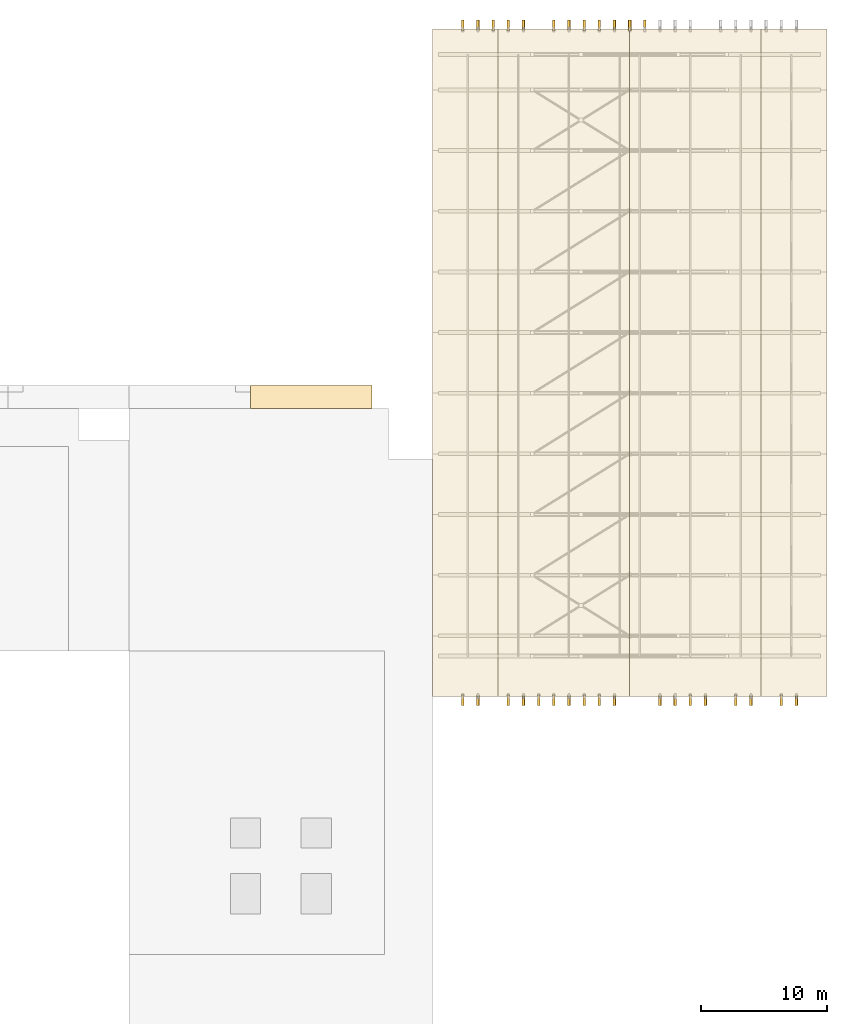
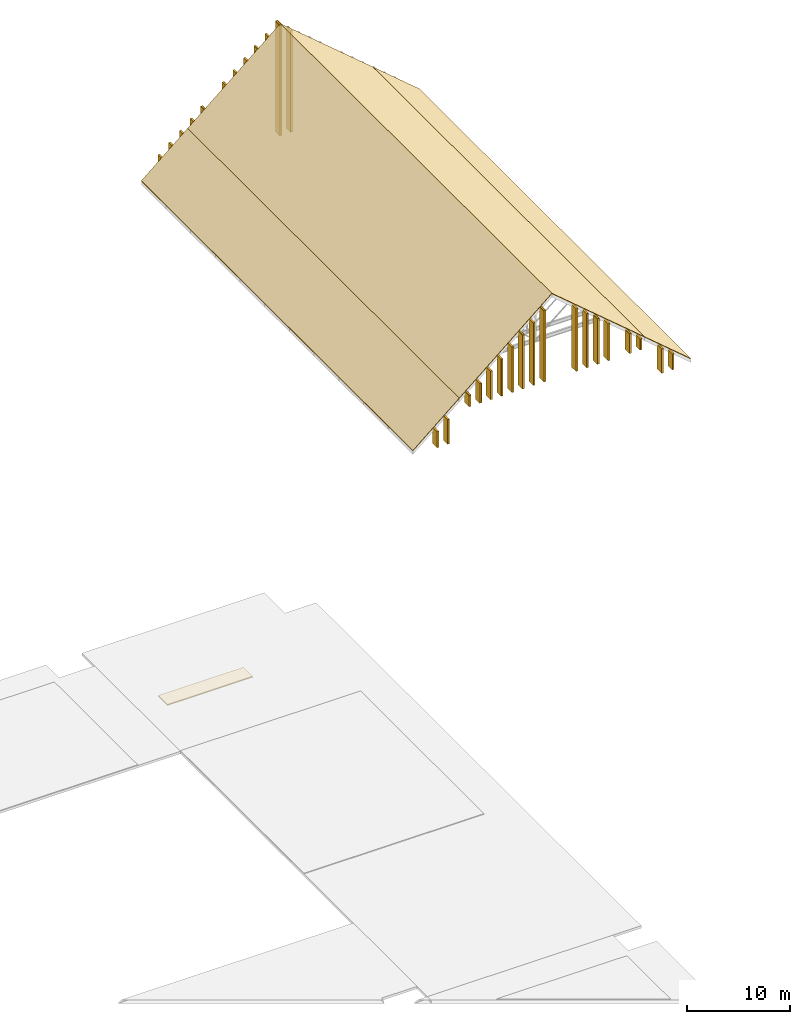
# One storey, part 59 of 60: 35 coverings, 31 shading devices.
"""IFC4 building model written with IfcOpenShell, lengths in metres."""

from ifc_helpers import new_model, si_unit, direction, frame, origin, origin_2d, place, context, subcontext, project, spatial, polyline, rectangle, outline, extrude, material, layer, layer_set, type_object, element, save


model = new_model("IFC4")

# Units and contexts
model_context = context("Model", 3, precision=1e-05, world=origin(), true_north=direction((0.0, 1.0)))
body_context = subcontext(model_context, "Body", "Model", "MODEL_VIEW")
ifc_project = project(units=[si_unit("LENGTHUNIT", "METRE"), si_unit("AREAUNIT", "SQUARE_METRE"), si_unit("VOLUMEUNIT", "CUBIC_METRE"), si_unit("PLANEANGLEUNIT", "RADIAN"), si_unit("MASSUNIT", "GRAM", prefix="KILO")], contexts=[model_context])

# Site, building, storey
site_placement = place(None, origin())
site = spatial("IfcSite", under=ifc_project, at=site_placement, CompositionType="ELEMENT")
building_placement = place(site_placement, origin())
building = spatial("IfcBuilding", under=site, at=building_placement, Name="Nakhvara Creek Congress Hotel", CompositionType="ELEMENT")
storey_placement = place(building_placement, frame((0.0, 0.0, 54.60009765625)))
storey = spatial("IfcBuildingStorey", under=building, at=storey_placement, Name="RL1", CompositionType="ELEMENT", Elevation=54.60009765625)

# Coverings
ifc_material_1 = material(Name="Honed pale Omani limestone architectural cladding", Category="masonry")
ifc_layer_1 = layer(ifc_material_1, 0.219970703125)
ifc_layer_set_1 = layer_set([ifc_layer_1], Name="Honed pale Omani limestone architectural cladding")
covering_type_1 = type_object("IfcCoveringType", Name="COV-FIN-850", PredefinedType="CLADDING", material=ifc_layer_set_1)
covering_1_placement = place(storey_placement, frame((151.199951171875, 72.89501953125, -4.18017578125), z_axis=(0.0, 0.0, 1.0), x_axis=(1.0, 0.0, 0.0)))
element("IfcCovering", 1, at=covering_1_placement, inside=storey, type_object=covering_type_1, Name="Pale Limestone Fin Cladding CF01-0002", PredefinedType="CLADDING", context=body_context, shape_type="SweptSolid", body=[
    extrude(rectangle(XDim=0.219970703125, YDim=0.85009765625, at=origin_2d()), origin(), (0.0, 0.0, 1.0), 1.890869140625),
])
covering_2_placement = place(storey_placement, frame((152.39990234375, 72.89501953125, -4.18017578125), z_axis=(0.0, 0.0, 1.0), x_axis=(1.0, 0.0, 0.0)))
element("IfcCovering", 2, at=covering_2_placement, inside=storey, type_object=covering_type_1, Name="Pale Limestone Fin Cladding CF01-0003", PredefinedType="CLADDING", context=body_context, shape_type="SweptSolid", body=[
    extrude(rectangle(XDim=0.219970703125, YDim=0.85009765625, at=origin_2d()), origin(), (0.0, 0.0, 1.0), 2.90625),
])
covering_3_placement = place(storey_placement, frame((154.800048828125, 72.89501953125, -0.580078125), z_axis=(0.0, 0.0, 1.0), x_axis=(1.0, 0.0, 0.0)))
element("IfcCovering", 3, at=covering_3_placement, inside=storey, type_object=covering_type_1, Name="Pale Limestone Fin Cladding CF01-0004", PredefinedType="CLADDING", context=body_context, shape_type="SweptSolid", body=[
    extrude(rectangle(XDim=0.219970703125, YDim=0.85009765625, at=origin_2d()), origin(), (0.0, 0.0, 1.0), 1.3369140625),
])
covering_4_placement = place(storey_placement, frame((156.0, 72.89501953125, -0.580078125), z_axis=(0.0, 0.0, 1.0), x_axis=(1.0, 0.0, 0.0)))
element("IfcCovering", 4, at=covering_4_placement, inside=storey, type_object=covering_type_1, Name="Pale Limestone Fin Cladding CF01-0005", PredefinedType="CLADDING", context=body_context, shape_type="SweptSolid", body=[
    extrude(rectangle(XDim=0.219970703125, YDim=0.85009765625, at=origin_2d()), origin(), (0.0, 0.0, 1.0), 2.352294921875),
])
covering_5_placement = place(storey_placement, frame((157.199951171875, 72.89501953125, -0.580078125), z_axis=(0.0, 0.0, 1.0), x_axis=(1.0, 0.0, 0.0)))
element("IfcCovering", 5, at=covering_5_placement, inside=storey, type_object=covering_type_1, Name="Pale Limestone Fin Cladding CF01-0006", PredefinedType="CLADDING", context=body_context, shape_type="SweptSolid", body=[
    extrude(rectangle(XDim=0.219970703125, YDim=0.85009765625, at=origin_2d()), origin(), (0.0, 0.0, 1.0), 3.36767578125),
])
covering_6_placement = place(storey_placement, frame((158.39990234375, 72.89501953125, -0.580078125), z_axis=(0.0, 0.0, 1.0), x_axis=(1.0, 0.0, 0.0)))
element("IfcCovering", 6, at=covering_6_placement, inside=storey, type_object=covering_type_1, Name="Pale Limestone Fin Cladding CF01-0007", PredefinedType="CLADDING", context=body_context, shape_type="SweptSolid", body=[
    extrude(rectangle(XDim=0.219970703125, YDim=0.85009765625, at=origin_2d()), origin(), (0.0, 0.0, 1.0), 4.383056640625),
])
covering_7_placement = place(storey_placement, frame((159.60009765625, 72.89501953125, -0.580078125), z_axis=(0.0, 0.0, 1.0), x_axis=(1.0, 0.0, 0.0)))
element("IfcCovering", 7, at=covering_7_placement, inside=storey, type_object=covering_type_1, Name="Pale Limestone Fin Cladding CF01-0008", PredefinedType="CLADDING", context=body_context, shape_type="SweptSolid", body=[
    extrude(rectangle(XDim=0.219970703125, YDim=0.85009765625, at=origin_2d()), origin(), (0.0, 0.0, 1.0), 5.3984375),
])
covering_8_placement = place(storey_placement, frame((160.800048828125, 72.89501953125, -0.580078125), z_axis=(0.0, 0.0, 1.0), x_axis=(1.0, 0.0, 0.0)))
element("IfcCovering", 8, at=covering_8_placement, inside=storey, type_object=covering_type_1, Name="Pale Limestone Fin Cladding CF01-0009", PredefinedType="CLADDING", context=body_context, shape_type="SweptSolid", body=[
    extrude(rectangle(XDim=0.219970703125, YDim=0.85009765625, at=origin_2d()), origin(), (0.0, 0.0, 1.0), 6.413818359375),
])
covering_9_placement = place(storey_placement, frame((162.0, 72.89501953125, -0.580078125), z_axis=(0.0, 0.0, 1.0), x_axis=(1.0, 0.0, 0.0)))
element("IfcCovering", 9, at=covering_9_placement, inside=storey, type_object=covering_type_1, Name="Pale Limestone Fin Cladding CF01-0010", PredefinedType="CLADDING", context=body_context, shape_type="SweptSolid", body=[
    extrude(rectangle(XDim=0.219970703125, YDim=0.85009765625, at=origin_2d()), origin(), (0.0, 0.0, 1.0), 7.42919921875),
])
covering_10_placement = place(storey_placement, frame((163.199951171875, 72.89501953125, -0.580078125), z_axis=(0.0, 0.0, 1.0), x_axis=(1.0, 0.0, 0.0)))
element("IfcCovering", 10, at=covering_10_placement, inside=storey, type_object=covering_type_1, Name="Pale Limestone Fin Cladding CF01-0011", PredefinedType="CLADDING", context=body_context, shape_type="SweptSolid", body=[
    extrude(rectangle(XDim=0.219970703125, YDim=0.85009765625, at=origin_2d()), origin(), (0.0, 0.0, 1.0), 8.444580078125),
])
covering_11_placement = place(storey_placement, frame((166.800048828125, 72.89501953125, -0.580078125), z_axis=(0.0, 0.0, 1.0), x_axis=(1.0, 0.0, 0.0)))
element("IfcCovering", 11, at=covering_11_placement, inside=storey, type_object=covering_type_1, Name="Pale Limestone Fin Cladding CF01-0012", PredefinedType="CLADDING", context=body_context, shape_type="SweptSolid", body=[
    extrude(rectangle(XDim=0.219970703125, YDim=0.85009765625, at=origin_2d()), origin(), (0.0, 0.0, 1.0), 7.42919921875),
])
covering_12_placement = place(storey_placement, frame((168.0, 72.89501953125, -0.580078125), z_axis=(0.0, 0.0, 1.0), x_axis=(1.0, 0.0, 0.0)))
element("IfcCovering", 12, at=covering_12_placement, inside=storey, type_object=covering_type_1, Name="Pale Limestone Fin Cladding CF01-0013", PredefinedType="CLADDING", context=body_context, shape_type="SweptSolid", body=[
    extrude(rectangle(XDim=0.219970703125, YDim=0.85009765625, at=origin_2d()), origin(), (0.0, 0.0, 1.0), 6.413818359375),
])
covering_13_placement = place(storey_placement, frame((169.199951171875, 72.89501953125, -0.580078125), z_axis=(0.0, 0.0, 1.0), x_axis=(1.0, 0.0, 0.0)))
element("IfcCovering", 13, at=covering_13_placement, inside=storey, type_object=covering_type_1, Name="Pale Limestone Fin Cladding CF01-0014", PredefinedType="CLADDING", context=body_context, shape_type="SweptSolid", body=[
    extrude(rectangle(XDim=0.219970703125, YDim=0.85009765625, at=origin_2d()), origin(), (0.0, 0.0, 1.0), 5.3984375),
])
covering_14_placement = place(storey_placement, frame((170.39990234375, 72.89501953125, -0.580078125), z_axis=(0.0, 0.0, 1.0), x_axis=(1.0, 0.0, 0.0)))
element("IfcCovering", 14, at=covering_14_placement, inside=storey, type_object=covering_type_1, Name="Pale Limestone Fin Cladding CF01-0015", PredefinedType="CLADDING", context=body_context, shape_type="SweptSolid", body=[
    extrude(rectangle(XDim=0.219970703125, YDim=0.85009765625, at=origin_2d()), origin(), (0.0, 0.0, 1.0), 4.383056640625),
])
covering_15_placement = place(storey_placement, frame((172.800048828125, 72.89501953125, -0.580078125), z_axis=(0.0, 0.0, 1.0), x_axis=(1.0, 0.0, 0.0)))
element("IfcCovering", 15, at=covering_15_placement, inside=storey, type_object=covering_type_1, Name="Pale Limestone Fin Cladding CF01-0016", PredefinedType="CLADDING", context=body_context, shape_type="SweptSolid", body=[
    extrude(rectangle(XDim=0.219970703125, YDim=0.85009765625, at=origin_2d()), origin(), (0.0, 0.0, 1.0), 2.352294921875),
])
covering_16_placement = place(storey_placement, frame((174.0, 72.89501953125, -0.580078125), z_axis=(0.0, 0.0, 1.0), x_axis=(1.0, 0.0, 0.0)))
element("IfcCovering", 16, at=covering_16_placement, inside=storey, type_object=covering_type_1, Name="Pale Limestone Fin Cladding CF01-0017", PredefinedType="CLADDING", context=body_context, shape_type="SweptSolid", body=[
    extrude(rectangle(XDim=0.219970703125, YDim=0.85009765625, at=origin_2d()), origin(), (0.0, 0.0, 1.0), 1.3369140625),
])
covering_17_placement = place(storey_placement, frame((176.39990234375, 72.89501953125, -4.18017578125), z_axis=(0.0, 0.0, 1.0), x_axis=(1.0, 0.0, 0.0)))
element("IfcCovering", 17, at=covering_17_placement, inside=storey, type_object=covering_type_1, Name="Pale Limestone Fin Cladding CF01-0018", PredefinedType="CLADDING", context=body_context, shape_type="SweptSolid", body=[
    extrude(rectangle(XDim=0.219970703125, YDim=0.85009765625, at=origin_2d()), origin(), (0.0, 0.0, 1.0), 2.90625),
])
for number, where, z_axis, x_axis, name in (
    (18, (177.60009765625, 72.89501953125, -4.18017578125), (0.0, 0.0, 1.0), (1.0, 0.0, 0.0), "Pale Limestone Fin Cladding CF01-0019"),
    (19, (151.199951171875, 126.304931640625, -4.18017578125), (0.0, 0.0, 1.0), (1.0, 0.0, 0.0), "Pale Limestone Fin Cladding CF01-0020"),
):
    element("IfcCovering", number, at=place(storey_placement, frame(where, z_axis=z_axis, x_axis=x_axis)), inside=storey, type_object=covering_type_1, Name=name, PredefinedType="CLADDING", context=body_context, shape_type="SweptSolid", body=[
        extrude(rectangle(XDim=0.219970703125, YDim=0.85009765625, at=origin_2d()), origin(), (0.0, 0.0, 1.0), 1.890869140625),
    ])
covering_18_placement = place(storey_placement, frame((152.39990234375, 126.304931640625, -4.18017578125), z_axis=(0.0, 0.0, 1.0), x_axis=(1.0, 0.0, 0.0)))
element("IfcCovering", 20, at=covering_18_placement, inside=storey, type_object=covering_type_1, Name="Pale Limestone Fin Cladding CF01-0021", PredefinedType="CLADDING", context=body_context, shape_type="SweptSolid", body=[
    extrude(rectangle(XDim=0.219970703125, YDim=0.85009765625, at=origin_2d()), origin(), (0.0, 0.0, 1.0), 2.90625),
])
covering_19_placement = place(storey_placement, frame((153.60009765625, 126.304931640625, -4.179931640625), z_axis=(0.0, 0.0, 1.0), x_axis=(1.0, 0.0, 0.0)))
element("IfcCovering", 21, at=covering_19_placement, inside=storey, type_object=covering_type_1, Name="Pale Limestone Fin Cladding CF01-0022", PredefinedType="CLADDING", context=body_context, shape_type="SweptSolid", body=[
    extrude(rectangle(XDim=0.219970703125, YDim=0.85009765625, at=origin_2d()), origin(), (0.0, 0.0, 1.0), 3.92138671875),
])
covering_20_placement = place(storey_placement, frame((154.800048828125, 126.304931640625, -4.18017578125), z_axis=(0.0, 0.0, 1.0), x_axis=(1.0, 0.0, 0.0)))
element("IfcCovering", 22, at=covering_20_placement, inside=storey, type_object=covering_type_1, Name="Pale Limestone Fin Cladding CF01-0023", PredefinedType="CLADDING", context=body_context, shape_type="SweptSolid", body=[
    extrude(rectangle(XDim=0.219970703125, YDim=0.85009765625, at=origin_2d()), origin(), (0.0, 0.0, 1.0), 4.93701171875),
])
covering_21_placement = place(storey_placement, frame((156.0, 126.304931640625, -4.18017578125), z_axis=(0.0, 0.0, 1.0), x_axis=(1.0, 0.0, 0.0)))
element("IfcCovering", 23, at=covering_21_placement, inside=storey, type_object=covering_type_1, Name="Pale Limestone Fin Cladding CF01-0024", PredefinedType="CLADDING", context=body_context, shape_type="SweptSolid", body=[
    extrude(rectangle(XDim=0.219970703125, YDim=0.85009765625, at=origin_2d()), origin(), (0.0, 0.0, 1.0), 5.952392578125),
])
covering_22_placement = place(storey_placement, frame((158.39990234375, 126.304931640625, -4.18017578125), z_axis=(0.0, 0.0, 1.0), x_axis=(1.0, 0.0, 0.0)))
element("IfcCovering", 24, at=covering_22_placement, inside=storey, type_object=covering_type_1, Name="Pale Limestone Fin Cladding CF01-0025", PredefinedType="CLADDING", context=body_context, shape_type="SweptSolid", body=[
    extrude(rectangle(XDim=0.219970703125, YDim=0.85009765625, at=origin_2d()), origin(), (0.0, 0.0, 1.0), 7.983154296875),
])
covering_23_placement = place(storey_placement, frame((159.60009765625, 126.304931640625, -4.18017578125), z_axis=(0.0, 0.0, 1.0), x_axis=(1.0, 0.0, 0.0)))
element("IfcCovering", 25, at=covering_23_placement, inside=storey, type_object=covering_type_1, Name="Pale Limestone Fin Cladding CF01-0026", PredefinedType="CLADDING", context=body_context, shape_type="SweptSolid", body=[
    extrude(rectangle(XDim=0.219970703125, YDim=0.85009765625, at=origin_2d()), origin(), (0.0, 0.0, 1.0), 8.99853515625),
])
covering_24_placement = place(storey_placement, frame((160.800048828125, 126.304931640625, -4.18017578125), z_axis=(0.0, 0.0, 1.0), x_axis=(1.0, 0.0, 0.0)))
element("IfcCovering", 26, at=covering_24_placement, inside=storey, type_object=covering_type_1, Name="Pale Limestone Fin Cladding CF01-0027", PredefinedType="CLADDING", context=body_context, shape_type="SweptSolid", body=[
    extrude(rectangle(XDim=0.219970703125, YDim=0.85009765625, at=origin_2d()), origin(), (0.0, 0.0, 1.0), 10.013916015625),
])
covering_25_placement = place(storey_placement, frame((162.0, 126.304931640625, -4.18017578125), z_axis=(0.0, 0.0, 1.0), x_axis=(1.0, 0.0, 0.0)))
element("IfcCovering", 27, at=covering_25_placement, inside=storey, type_object=covering_type_1, Name="Pale Limestone Fin Cladding CF01-0028", PredefinedType="CLADDING", context=body_context, shape_type="SweptSolid", body=[
    extrude(rectangle(XDim=0.219970703125, YDim=0.85009765625, at=origin_2d()), origin(), (0.0, 0.0, 1.0), 11.029296875),
])
covering_26_placement = place(storey_placement, frame((163.199951171875, 126.304931640625, -4.18017578125), z_axis=(0.0, 0.0, 1.0), x_axis=(1.0, 0.0, 0.0)))
element("IfcCovering", 28, at=covering_26_placement, inside=storey, type_object=covering_type_1, Name="Pale Limestone Fin Cladding CF01-0029", PredefinedType="CLADDING", context=body_context, shape_type="SweptSolid", body=[
    extrude(rectangle(XDim=0.219970703125, YDim=0.85009765625, at=origin_2d()), origin(), (0.0, 0.0, 1.0), 12.044677734375),
])
covering_27_placement = place(storey_placement, frame((164.39990234375, 126.304931640625, -4.18017578125), z_axis=(0.0, 0.0, 1.0), x_axis=(1.0, 0.0, 0.0)))
element("IfcCovering", 29, at=covering_27_placement, inside=storey, type_object=covering_type_1, Name="Pale Limestone Fin Cladding CF01-0030", PredefinedType="CLADDING", context=body_context, shape_type="SweptSolid", body=[
    extrude(rectangle(XDim=0.219970703125, YDim=0.85009765625, at=origin_2d()), origin(), (0.0, 0.0, 1.0), 13.06005859375),
])
covering_28_placement = place(storey_placement, frame((164.39990234375, 126.304931640625, 0.599853515625), z_axis=(0.0, 0.0, 1.0), x_axis=(1.0, 0.0, 0.0)))
element("IfcCovering", 30, at=covering_28_placement, inside=storey, type_object=covering_type_1, Name="Pale Limestone Fin Cladding CF01-0041", PredefinedType="CLADDING", context=body_context, shape_type="SweptSolid", body=[
    extrude(rectangle(XDim=0.280029296875, YDim=0.85009765625, at=origin_2d()), origin(), (0.0, 0.0, 1.0), 8.3798828125),
])
ifc_material_2 = material(Name="High-SRI cool-roof EPDM membrane and tapered insulation")
ifc_layer_2 = layer(ifc_material_2, 0.080078125)
ifc_layer_set_2 = layer_set([ifc_layer_2], Name="High-SRI cool-roof EPDM membrane and tapered insulation")
covering_type_2 = type_object("IfcCoveringType", Name="COV-ROOF-MEM", PredefinedType="ROOFING", material=ifc_layer_set_2)
covering_29_placement = place(storey_placement, frame((148.800048828125, 73.199951171875, -4.14013671875), z_axis=(0.0, 0.0, 1.0), x_axis=(1.0, 0.0, 0.0)))
element("IfcCovering", 31, at=covering_29_placement, inside=storey, type_object=covering_type_2, Name="Hotel Gothic Gable West Eave Standing-Seam Roof Cladding", PredefinedType="ROOFING", context=body_context, shape_type="SweptSolid", body=[
    extrude(outline(polyline([(0.0, 0.0), (5.199951171875, 4.400146484375), (5.199951171875, 4.321533203125), (0.0, -0.07861328125), (0.0, 0.0)])), frame((0.0, 52.800048828125, 0.0), z_axis=(0.0, -1.0, 0.0), x_axis=(1.0, 0.0, 0.0)), (0.0, 0.0, 1.0), 52.800048828125),
])
covering_30_placement = place(storey_placement, frame((174.800048828125, 73.199951171875, 0.260009765625), z_axis=(0.0, 0.0, 1.0), x_axis=(1.0, 0.0, 0.0)))
element("IfcCovering", 32, at=covering_30_placement, inside=storey, type_object=covering_type_2, Name="Hotel Gothic Gable East Eave Standing-Seam Roof Cladding", PredefinedType="ROOFING", context=body_context, shape_type="SweptSolid", body=[
    extrude(outline(polyline([(0.0, 0.0), (5.199951171875, -4.400146484375), (5.199951171875, -4.478759765625), (0.0, -0.07861328125), (0.0, 0.0)])), frame((0.0, 52.800048828125, 0.0), z_axis=(0.0, -1.0, 0.0), x_axis=(1.0, 0.0, 0.0)), (0.0, 0.0, 1.0), 52.800048828125),
])
covering_31_placement = place(storey_placement, frame((154.0, 73.199951171875, 0.260009765625), z_axis=(0.0, 0.0, 1.0), x_axis=(1.0, 0.0, 0.0)))
element("IfcCovering", 33, at=covering_31_placement, inside=storey, type_object=covering_type_2, Name="Hotel Gothic Gable West Crown Standing-Seam Roof Cladding", PredefinedType="ROOFING", context=body_context, shape_type="SweptSolid", body=[
    extrude(outline(polyline([(0.0, 0.0), (10.39990234375, 8.7998046875), (10.39990234375, 8.72119140625), (0.0, -0.07861328125), (0.0, 0.0)])), frame((0.0, 52.800048828125, 0.0), z_axis=(0.0, -1.0, 0.0), x_axis=(1.0, 0.0, 0.0)), (0.0, 0.0, 1.0), 52.800048828125),
])
covering_32_placement = place(storey_placement, frame((164.39990234375, 73.199951171875, 9.059814453125), z_axis=(0.0, 0.0, 1.0), x_axis=(1.0, 0.0, 0.0)))
element("IfcCovering", 34, at=covering_32_placement, inside=storey, type_object=covering_type_2, Name="Hotel Gothic Gable East Crown Standing-Seam Roof Cladding", PredefinedType="ROOFING", context=body_context, shape_type="SweptSolid", body=[
    extrude(outline(polyline([(0.0, 0.0), (10.400146484375, -8.7998046875), (10.400146484375, -8.87841796875), (0.0, -0.07861328125), (0.0, 0.0)])), frame((0.0, 52.800048828125, 0.0), z_axis=(0.0, -1.0, 0.0), x_axis=(1.0, 0.0, 0.0)), (0.0, 0.0, 1.0), 52.800048828125),
])
covering_33_placement = place(storey_placement, frame((0.0, 0.0, -43.2001953125)))
element("IfcCovering", 35, at=covering_33_placement, inside=storey, type_object=covering_type_2, Name="Glazed Box Limestone Coping Cap PBOX-L01-N3", PredefinedType="ROOFING", context=body_context, shape_type="SweptSolid", body=[
    extrude(outline(polyline([(134.39990234375, 96.0), (144.0, 96.0), (144.0, 97.800048828125), (134.39990234375, 97.800048828125), (134.39990234375, 96.0)])), origin(), (0.0, 0.0, 1.0), 0.1201171875),
])

# Shading devices
ifc_material_3 = material(Name="Honed pale Omani limestone cladding on stainless steel spine", Category="masonry")
shading_device_type = type_object("IfcShadingDeviceType", Name="SHD-FIN-GABLE", PredefinedType="USERDEFINED", material=ifc_material_3)
shading_device_1_placement = place(storey_placement, frame((151.199951171875, 72.89501953125, -4.18017578125), z_axis=(0.0, 0.0, 1.0), x_axis=(1.0, 0.0, 0.0)))
element("IfcShadingDevice", 36, at=shading_device_1_placement, inside=storey, type_object=shading_device_type, Name="Limestone Solar Fin FN04-0002", ObjectType="FIN", PredefinedType="USERDEFINED", context=body_context, shape_type="SweptSolid", body=[
    extrude(rectangle(XDim=0.199951171875, YDim=0.85009765625, at=origin_2d()), origin(), (0.0, 0.0, 1.0), 1.890869140625),
])
shading_device_2_placement = place(storey_placement, frame((152.39990234375, 72.89501953125, -4.18017578125), z_axis=(0.0, 0.0, 1.0), x_axis=(1.0, 0.0, 0.0)))
element("IfcShadingDevice", 37, at=shading_device_2_placement, inside=storey, type_object=shading_device_type, Name="Limestone Solar Fin FN04-0003", ObjectType="FIN", PredefinedType="USERDEFINED", context=body_context, shape_type="SweptSolid", body=[
    extrude(rectangle(XDim=0.199951171875, YDim=0.85009765625, at=origin_2d()), origin(), (0.0, 0.0, 1.0), 2.90625),
])
shading_device_3_placement = place(storey_placement, frame((154.800048828125, 72.89501953125, -0.580078125), z_axis=(0.0, 0.0, 1.0), x_axis=(1.0, 0.0, 0.0)))
element("IfcShadingDevice", 38, at=shading_device_3_placement, inside=storey, type_object=shading_device_type, Name="Limestone Solar Fin FN04-0004", ObjectType="FIN", PredefinedType="USERDEFINED", context=body_context, shape_type="SweptSolid", body=[
    extrude(rectangle(XDim=0.199951171875, YDim=0.85009765625, at=origin_2d()), origin(), (0.0, 0.0, 1.0), 1.3369140625),
])
shading_device_4_placement = place(storey_placement, frame((156.0, 72.89501953125, -0.580078125), z_axis=(0.0, 0.0, 1.0), x_axis=(1.0, 0.0, 0.0)))
element("IfcShadingDevice", 39, at=shading_device_4_placement, inside=storey, type_object=shading_device_type, Name="Limestone Solar Fin FN04-0005", ObjectType="FIN", PredefinedType="USERDEFINED", context=body_context, shape_type="SweptSolid", body=[
    extrude(rectangle(XDim=0.199951171875, YDim=0.85009765625, at=origin_2d()), origin(), (0.0, 0.0, 1.0), 2.352294921875),
])
shading_device_5_placement = place(storey_placement, frame((157.199951171875, 72.89501953125, -0.580078125), z_axis=(0.0, 0.0, 1.0), x_axis=(1.0, 0.0, 0.0)))
element("IfcShadingDevice", 40, at=shading_device_5_placement, inside=storey, type_object=shading_device_type, Name="Limestone Solar Fin FN04-0006", ObjectType="FIN", PredefinedType="USERDEFINED", context=body_context, shape_type="SweptSolid", body=[
    extrude(rectangle(XDim=0.199951171875, YDim=0.85009765625, at=origin_2d()), origin(), (0.0, 0.0, 1.0), 3.36767578125),
])
shading_device_6_placement = place(storey_placement, frame((158.39990234375, 72.89501953125, -0.580078125), z_axis=(0.0, 0.0, 1.0), x_axis=(1.0, 0.0, 0.0)))
element("IfcShadingDevice", 41, at=shading_device_6_placement, inside=storey, type_object=shading_device_type, Name="Limestone Solar Fin FN04-0007", ObjectType="FIN", PredefinedType="USERDEFINED", context=body_context, shape_type="SweptSolid", body=[
    extrude(rectangle(XDim=0.199951171875, YDim=0.85009765625, at=origin_2d()), origin(), (0.0, 0.0, 1.0), 4.383056640625),
])
shading_device_7_placement = place(storey_placement, frame((159.60009765625, 72.89501953125, -0.580078125), z_axis=(0.0, 0.0, 1.0), x_axis=(1.0, 0.0, 0.0)))
element("IfcShadingDevice", 42, at=shading_device_7_placement, inside=storey, type_object=shading_device_type, Name="Limestone Solar Fin FN04-0008", ObjectType="FIN", PredefinedType="USERDEFINED", context=body_context, shape_type="SweptSolid", body=[
    extrude(rectangle(XDim=0.199951171875, YDim=0.85009765625, at=origin_2d()), origin(), (0.0, 0.0, 1.0), 5.3984375),
])
shading_device_8_placement = place(storey_placement, frame((160.800048828125, 72.89501953125, -0.580078125), z_axis=(0.0, 0.0, 1.0), x_axis=(1.0, 0.0, 0.0)))
element("IfcShadingDevice", 43, at=shading_device_8_placement, inside=storey, type_object=shading_device_type, Name="Limestone Solar Fin FN04-0009", ObjectType="FIN", PredefinedType="USERDEFINED", context=body_context, shape_type="SweptSolid", body=[
    extrude(rectangle(XDim=0.199951171875, YDim=0.85009765625, at=origin_2d()), origin(), (0.0, 0.0, 1.0), 6.413818359375),
])
shading_device_9_placement = place(storey_placement, frame((162.0, 72.89501953125, -0.580078125), z_axis=(0.0, 0.0, 1.0), x_axis=(1.0, 0.0, 0.0)))
element("IfcShadingDevice", 44, at=shading_device_9_placement, inside=storey, type_object=shading_device_type, Name="Limestone Solar Fin FN04-0010", ObjectType="FIN", PredefinedType="USERDEFINED", context=body_context, shape_type="SweptSolid", body=[
    extrude(rectangle(XDim=0.199951171875, YDim=0.85009765625, at=origin_2d()), origin(), (0.0, 0.0, 1.0), 7.42919921875),
])
shading_device_10_placement = place(storey_placement, frame((163.199951171875, 72.89501953125, -0.580078125), z_axis=(0.0, 0.0, 1.0), x_axis=(1.0, 0.0, 0.0)))
element("IfcShadingDevice", 45, at=shading_device_10_placement, inside=storey, type_object=shading_device_type, Name="Limestone Solar Fin FN04-0011", ObjectType="FIN", PredefinedType="USERDEFINED", context=body_context, shape_type="SweptSolid", body=[
    extrude(rectangle(XDim=0.199951171875, YDim=0.85009765625, at=origin_2d()), origin(), (0.0, 0.0, 1.0), 8.444580078125),
])
shading_device_11_placement = place(storey_placement, frame((166.800048828125, 72.89501953125, -0.580078125), z_axis=(0.0, 0.0, 1.0), x_axis=(1.0, 0.0, 0.0)))
element("IfcShadingDevice", 46, at=shading_device_11_placement, inside=storey, type_object=shading_device_type, Name="Limestone Solar Fin FN04-0012", ObjectType="FIN", PredefinedType="USERDEFINED", context=body_context, shape_type="SweptSolid", body=[
    extrude(rectangle(XDim=0.199951171875, YDim=0.85009765625, at=origin_2d()), origin(), (0.0, 0.0, 1.0), 7.42919921875),
])
shading_device_12_placement = place(storey_placement, frame((168.0, 72.89501953125, -0.580078125), z_axis=(0.0, 0.0, 1.0), x_axis=(1.0, 0.0, 0.0)))
element("IfcShadingDevice", 47, at=shading_device_12_placement, inside=storey, type_object=shading_device_type, Name="Limestone Solar Fin FN04-0013", ObjectType="FIN", PredefinedType="USERDEFINED", context=body_context, shape_type="SweptSolid", body=[
    extrude(rectangle(XDim=0.199951171875, YDim=0.85009765625, at=origin_2d()), origin(), (0.0, 0.0, 1.0), 6.413818359375),
])
shading_device_13_placement = place(storey_placement, frame((169.199951171875, 72.89501953125, -0.580078125), z_axis=(0.0, 0.0, 1.0), x_axis=(1.0, 0.0, 0.0)))
element("IfcShadingDevice", 48, at=shading_device_13_placement, inside=storey, type_object=shading_device_type, Name="Limestone Solar Fin FN04-0014", ObjectType="FIN", PredefinedType="USERDEFINED", context=body_context, shape_type="SweptSolid", body=[
    extrude(rectangle(XDim=0.199951171875, YDim=0.85009765625, at=origin_2d()), origin(), (0.0, 0.0, 1.0), 5.3984375),
])
shading_device_14_placement = place(storey_placement, frame((170.39990234375, 72.89501953125, -0.580078125), z_axis=(0.0, 0.0, 1.0), x_axis=(1.0, 0.0, 0.0)))
element("IfcShadingDevice", 49, at=shading_device_14_placement, inside=storey, type_object=shading_device_type, Name="Limestone Solar Fin FN04-0015", ObjectType="FIN", PredefinedType="USERDEFINED", context=body_context, shape_type="SweptSolid", body=[
    extrude(rectangle(XDim=0.199951171875, YDim=0.85009765625, at=origin_2d()), origin(), (0.0, 0.0, 1.0), 4.383056640625),
])
shading_device_15_placement = place(storey_placement, frame((172.800048828125, 72.89501953125, -0.580078125), z_axis=(0.0, 0.0, 1.0), x_axis=(1.0, 0.0, 0.0)))
element("IfcShadingDevice", 50, at=shading_device_15_placement, inside=storey, type_object=shading_device_type, Name="Limestone Solar Fin FN04-0016", ObjectType="FIN", PredefinedType="USERDEFINED", context=body_context, shape_type="SweptSolid", body=[
    extrude(rectangle(XDim=0.199951171875, YDim=0.85009765625, at=origin_2d()), origin(), (0.0, 0.0, 1.0), 2.352294921875),
])
shading_device_16_placement = place(storey_placement, frame((174.0, 72.89501953125, -0.580078125), z_axis=(0.0, 0.0, 1.0), x_axis=(1.0, 0.0, 0.0)))
element("IfcShadingDevice", 51, at=shading_device_16_placement, inside=storey, type_object=shading_device_type, Name="Limestone Solar Fin FN04-0017", ObjectType="FIN", PredefinedType="USERDEFINED", context=body_context, shape_type="SweptSolid", body=[
    extrude(rectangle(XDim=0.199951171875, YDim=0.85009765625, at=origin_2d()), origin(), (0.0, 0.0, 1.0), 1.3369140625),
])
shading_device_17_placement = place(storey_placement, frame((176.39990234375, 72.89501953125, -4.18017578125), z_axis=(0.0, 0.0, 1.0), x_axis=(1.0, 0.0, 0.0)))
element("IfcShadingDevice", 52, at=shading_device_17_placement, inside=storey, type_object=shading_device_type, Name="Limestone Solar Fin FN04-0018", ObjectType="FIN", PredefinedType="USERDEFINED", context=body_context, shape_type="SweptSolid", body=[
    extrude(rectangle(XDim=0.199951171875, YDim=0.85009765625, at=origin_2d()), origin(), (0.0, 0.0, 1.0), 2.90625),
])
for number, where, z_axis, x_axis, name in (
    (53, (177.60009765625, 72.89501953125, -4.18017578125), (0.0, 0.0, 1.0), (1.0, 0.0, 0.0), "Limestone Solar Fin FN04-0019"),
    (54, (151.199951171875, 126.304931640625, -4.18017578125), (0.0, 0.0, 1.0), (1.0, 0.0, 0.0), "Limestone Solar Fin FN04-0020"),
):
    element("IfcShadingDevice", number, at=place(storey_placement, frame(where, z_axis=z_axis, x_axis=x_axis)), inside=storey, type_object=shading_device_type, Name=name, ObjectType="FIN", PredefinedType="USERDEFINED", context=body_context, shape_type="SweptSolid", body=[
        extrude(rectangle(XDim=0.199951171875, YDim=0.85009765625, at=origin_2d()), origin(), (0.0, 0.0, 1.0), 1.890869140625),
    ])
shading_device_18_placement = place(storey_placement, frame((152.39990234375, 126.304931640625, -4.18017578125), z_axis=(0.0, 0.0, 1.0), x_axis=(1.0, 0.0, 0.0)))
element("IfcShadingDevice", 55, at=shading_device_18_placement, inside=storey, type_object=shading_device_type, Name="Limestone Solar Fin FN04-0021", ObjectType="FIN", PredefinedType="USERDEFINED", context=body_context, shape_type="SweptSolid", body=[
    extrude(rectangle(XDim=0.199951171875, YDim=0.85009765625, at=origin_2d()), origin(), (0.0, 0.0, 1.0), 2.90625),
])
shading_device_19_placement = place(storey_placement, frame((153.60009765625, 126.304931640625, -4.179931640625), z_axis=(0.0, 0.0, 1.0), x_axis=(1.0, 0.0, 0.0)))
element("IfcShadingDevice", 56, at=shading_device_19_placement, inside=storey, type_object=shading_device_type, Name="Limestone Solar Fin FN04-0022", ObjectType="FIN", PredefinedType="USERDEFINED", context=body_context, shape_type="SweptSolid", body=[
    extrude(rectangle(XDim=0.199951171875, YDim=0.85009765625, at=origin_2d()), origin(), (0.0, 0.0, 1.0), 3.92138671875),
])
shading_device_20_placement = place(storey_placement, frame((154.800048828125, 126.304931640625, -4.18017578125), z_axis=(0.0, 0.0, 1.0), x_axis=(1.0, 0.0, 0.0)))
element("IfcShadingDevice", 57, at=shading_device_20_placement, inside=storey, type_object=shading_device_type, Name="Limestone Solar Fin FN04-0023", ObjectType="FIN", PredefinedType="USERDEFINED", context=body_context, shape_type="SweptSolid", body=[
    extrude(rectangle(XDim=0.199951171875, YDim=0.85009765625, at=origin_2d()), origin(), (0.0, 0.0, 1.0), 4.93701171875),
])
shading_device_21_placement = place(storey_placement, frame((156.0, 126.304931640625, -4.18017578125), z_axis=(0.0, 0.0, 1.0), x_axis=(1.0, 0.0, 0.0)))
element("IfcShadingDevice", 58, at=shading_device_21_placement, inside=storey, type_object=shading_device_type, Name="Limestone Solar Fin FN04-0024", ObjectType="FIN", PredefinedType="USERDEFINED", context=body_context, shape_type="SweptSolid", body=[
    extrude(rectangle(XDim=0.199951171875, YDim=0.85009765625, at=origin_2d()), origin(), (0.0, 0.0, 1.0), 5.952392578125),
])
shading_device_22_placement = place(storey_placement, frame((158.39990234375, 126.304931640625, -4.18017578125), z_axis=(0.0, 0.0, 1.0), x_axis=(1.0, 0.0, 0.0)))
element("IfcShadingDevice", 59, at=shading_device_22_placement, inside=storey, type_object=shading_device_type, Name="Limestone Solar Fin FN04-0025", ObjectType="FIN", PredefinedType="USERDEFINED", context=body_context, shape_type="SweptSolid", body=[
    extrude(rectangle(XDim=0.199951171875, YDim=0.85009765625, at=origin_2d()), origin(), (0.0, 0.0, 1.0), 7.983154296875),
])
shading_device_23_placement = place(storey_placement, frame((159.60009765625, 126.304931640625, -4.18017578125), z_axis=(0.0, 0.0, 1.0), x_axis=(1.0, 0.0, 0.0)))
element("IfcShadingDevice", 60, at=shading_device_23_placement, inside=storey, type_object=shading_device_type, Name="Limestone Solar Fin FN04-0026", ObjectType="FIN", PredefinedType="USERDEFINED", context=body_context, shape_type="SweptSolid", body=[
    extrude(rectangle(XDim=0.199951171875, YDim=0.85009765625, at=origin_2d()), origin(), (0.0, 0.0, 1.0), 8.99853515625),
])
shading_device_24_placement = place(storey_placement, frame((160.800048828125, 126.304931640625, -4.18017578125), z_axis=(0.0, 0.0, 1.0), x_axis=(1.0, 0.0, 0.0)))
element("IfcShadingDevice", 61, at=shading_device_24_placement, inside=storey, type_object=shading_device_type, Name="Limestone Solar Fin FN04-0027", ObjectType="FIN", PredefinedType="USERDEFINED", context=body_context, shape_type="SweptSolid", body=[
    extrude(rectangle(XDim=0.199951171875, YDim=0.85009765625, at=origin_2d()), origin(), (0.0, 0.0, 1.0), 10.013916015625),
])
shading_device_25_placement = place(storey_placement, frame((162.0, 126.304931640625, -4.18017578125), z_axis=(0.0, 0.0, 1.0), x_axis=(1.0, 0.0, 0.0)))
element("IfcShadingDevice", 62, at=shading_device_25_placement, inside=storey, type_object=shading_device_type, Name="Limestone Solar Fin FN04-0028", ObjectType="FIN", PredefinedType="USERDEFINED", context=body_context, shape_type="SweptSolid", body=[
    extrude(rectangle(XDim=0.199951171875, YDim=0.85009765625, at=origin_2d()), origin(), (0.0, 0.0, 1.0), 11.029296875),
])
shading_device_26_placement = place(storey_placement, frame((163.199951171875, 126.304931640625, -4.18017578125), z_axis=(0.0, 0.0, 1.0), x_axis=(1.0, 0.0, 0.0)))
element("IfcShadingDevice", 63, at=shading_device_26_placement, inside=storey, type_object=shading_device_type, Name="Limestone Solar Fin FN04-0029", ObjectType="FIN", PredefinedType="USERDEFINED", context=body_context, shape_type="SweptSolid", body=[
    extrude(rectangle(XDim=0.199951171875, YDim=0.85009765625, at=origin_2d()), origin(), (0.0, 0.0, 1.0), 12.044677734375),
])
shading_device_27_placement = place(storey_placement, frame((164.39990234375, 126.304931640625, -4.18017578125), z_axis=(0.0, 0.0, 1.0), x_axis=(1.0, 0.0, 0.0)))
element("IfcShadingDevice", 64, at=shading_device_27_placement, inside=storey, type_object=shading_device_type, Name="Limestone Solar Fin FN04-0030", ObjectType="FIN", PredefinedType="USERDEFINED", context=body_context, shape_type="SweptSolid", body=[
    extrude(rectangle(XDim=0.199951171875, YDim=0.85009765625, at=origin_2d()), origin(), (0.0, 0.0, 1.0), 13.06005859375),
])
shading_device_28_placement = place(storey_placement, frame((165.60009765625, 126.304931640625, -4.18017578125), z_axis=(0.0, 0.0, 1.0), x_axis=(1.0, 0.0, 0.0)))
element("IfcShadingDevice", 65, at=shading_device_28_placement, inside=storey, type_object=shading_device_type, Name="Limestone Solar Fin FN04-0031", ObjectType="FIN", PredefinedType="USERDEFINED", context=body_context, shape_type="SweptSolid", body=[
    extrude(rectangle(XDim=0.199951171875, YDim=0.85009765625, at=origin_2d()), origin(), (0.0, 0.0, 1.0), 12.044677734375),
])
shading_device_29_placement = place(storey_placement, frame((164.39990234375, 126.304931640625, 0.599853515625), z_axis=(0.0, 0.0, 1.0), x_axis=(1.0, 0.0, 0.0)))
element("IfcShadingDevice", 66, at=shading_device_29_placement, inside=storey, type_object=shading_device_type, Name="Limestone Solar Fin FN04-0041", ObjectType="FIN", PredefinedType="USERDEFINED", context=body_context, shape_type="SweptSolid", body=[
    extrude(rectangle(XDim=0.199951171875, YDim=0.85009765625, at=origin_2d()), origin(), (0.0, 0.0, 1.0), 8.3798828125),
])

save(model, "model.ifc")
